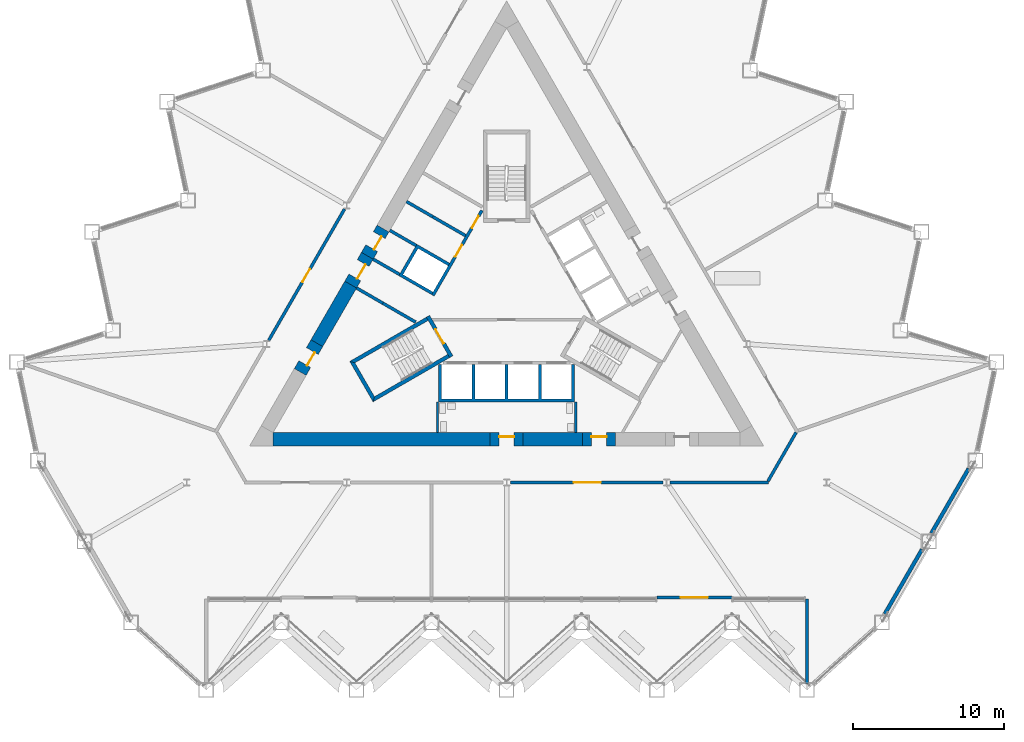
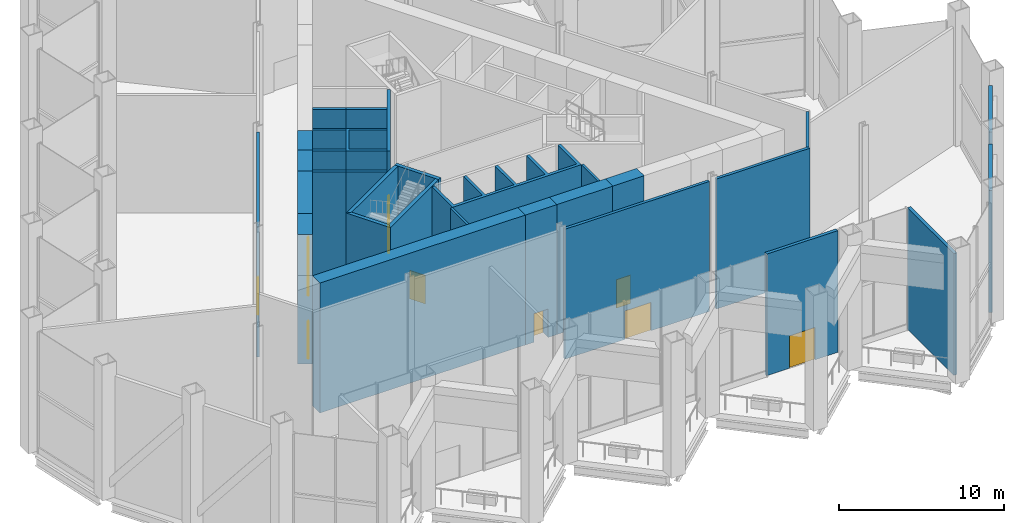
# One storey, part 8 of 17: 31 walls, 11 doors, 11 openings.
"""IFC4 building model written with IfcOpenShell, lengths in metres."""

from ifc_helpers import new_model, si_unit, direction, frame, frame_2d, origin, place, context, subcontext, project, spatial, polyline, rectangle, outline, extrude, material, layer, layer_set, type_object, element, fill, save


model = new_model("IFC4")

# Units and contexts
model_context = context("Model", 3, precision=1e-05, world=origin(), true_north=direction((0.0, 1.0)))
body_context = subcontext(model_context, "Body", "Model", "MODEL_VIEW")
ifc_project = project(units=[si_unit("LENGTHUNIT", "METRE"), si_unit("AREAUNIT", "SQUARE_METRE"), si_unit("VOLUMEUNIT", "CUBIC_METRE"), si_unit("PLANEANGLEUNIT", "RADIAN"), si_unit("MASSUNIT", "GRAM", prefix="KILO")], contexts=[model_context])

# Site, building, storey
site_placement = place(None, origin())
site = spatial("IfcSite", under=ifc_project, at=site_placement, CompositionType="ELEMENT")
building_placement = place(site_placement, origin())
building = spatial("IfcBuilding", under=site, at=building_placement, Name="Cormorant Prow Tower", CompositionType="ELEMENT")
storey_placement = place(building_placement, frame((0.0, 0.0, 84.60009765625)))
storey = spatial("IfcBuildingStorey", under=building, at=storey_placement, Name="L18", CompositionType="ELEMENT", Elevation=84.60009765625)

# Walls
ifc_material_1 = material(Name="Gypsum board partition")
ifc_layer_1 = layer(ifc_material_1, 0.14990234375)
ifc_layer_set_1 = layer_set([ifc_layer_1], Name="Gypsum board partition")
wall_type_1 = type_object("IfcWallType", Name="Core partition 150", PredefinedType="PARTITIONING", material=ifc_layer_set_1)
for number, where, z_axis, x_axis, name in (
    (1, (4.574951171875, -6.906005859375, 0.0), (0.0, 0.0, 1.0), (0.0, -1.0, 0.0), "Service room partition"),
    (2, (-4.574951171875, -6.906005859375, 0.0), (0.0, 0.0, 1.0), (0.0, -1.0, 0.0), "Service room partition"),
):
    element("IfcWall", number, at=place(storey_placement, frame(where, z_axis=z_axis, x_axis=x_axis)), inside=storey, type_object=wall_type_1, Name=name, PredefinedType="PARTITIONING", context=body_context, shape_type="SweptSolid", body=[
        extrude(rectangle(XDim=2.009033203125, YDim=0.14990234375, at=frame_2d((1.00439453125, 0.0))), origin(), (0.0, 0.0, 1.0), 9.599853515625),
    ])
ifc_material_2 = material(Name="Concrete 8000 psi", Category="concrete")
ifc_layer_2 = layer(ifc_material_2, 0.89990234375)
ifc_layer_set_2 = layer_set([ifc_layer_2], Name="Concrete 8000 psi")
wall_type_2 = type_object("IfcWallType", Name="Core shear wall 900", PredefinedType="SHEAR", material=ifc_layer_set_2)
wall_1_placement = place(storey_placement, frame((-15.441162109375, -9.364990234375, 0.0), z_axis=(0.0, 0.0, 1.0), x_axis=(1.0, 0.0, 0.0)))
element("IfcWall", 3, at=wall_1_placement, inside=storey, type_object=wall_type_2, Name="Core wall", PredefinedType="SHEAR", context=body_context, shape_type="SweptSolid", body=[
    extrude(rectangle(XDim=14.341064453125, YDim=0.89990234375, at=frame_2d((7.17041015625, 0.0))), origin(), (0.0, 0.0, 1.0), 9.599853515625),
])
wall_2_placement = place(storey_placement, frame((1.10009765625, -9.364990234375, 0.0), z_axis=(0.0, 0.0, 1.0), x_axis=(1.0, 0.0, 0.0)))
element("IfcWall", 4, at=wall_2_placement, inside=storey, type_object=wall_type_2, Name="Core wall", PredefinedType="SHEAR", context=body_context, shape_type="SweptSolid", body=[
    extrude(rectangle(XDim=3.908935546875, YDim=0.89990234375, at=frame_2d((1.95458984375, 0.0))), origin(), (0.0, 0.0, 1.0), 9.599853515625),
])
wall_3_placement = place(storey_placement, frame((-10.310302734375, 0.8720703125, 0.0), z_axis=(0.0, 0.0, 1.0), x_axis=(-0.499991893987, -0.866030083742, 0.0)))
element("IfcWall", 5, at=wall_3_placement, inside=storey, type_object=wall_type_2, Name="Core wall", PredefinedType="SHEAR", context=body_context, shape_type="SweptSolid", body=[
    extrude(rectangle(XDim=4.470703125, YDim=0.89990234375, at=frame_2d((2.2353515625, 0.0))), origin(), (0.0, 0.0, 1.0), 9.599853515625),
])

# Wall, opening, door
wall_4_placement = place(storey_placement, frame((-1.10009765625, -9.364990234375, 0.0), z_axis=(0.0, 0.0, 1.0), x_axis=(1.0, 0.0, 0.0)))
wall_4 = element("IfcWall", 6, at=wall_4_placement, inside=storey, type_object=wall_type_2, Name="Core wall door panel", PredefinedType="SHEAR", context=body_context, shape_type="SweptSolid", body=[
    extrude(rectangle(XDim=2.2001953125, YDim=0.89990234375, at=frame_2d((1.10009765625, 0.0))), origin(), (0.0, 0.0, 1.0), 9.599853515625),
])
opening_1_placement = place(wall_4_placement, frame((0.60009765625, 0.0, 0.0)))
opening_1 = element("IfcOpeningElement", 7, at=opening_1_placement, cuts=wall_4, Name="Opening L18-C15", PredefinedType="OPENING", context=body_context, shape_type="SweptSolid", body=[
    extrude(rectangle(XDim=1.0, YDim=2.10009765625, at=frame_2d((0.5, 1.050048828125))), frame((0.0, 0.4599609375, 0.0), z_axis=(0.0, -1.0, 0.0), x_axis=(1.0, 0.0, 0.0)), (0.0, 0.0, 1.0), 0.919921875),
])
ifc_material_3 = material(Name="Painted steel", Category="steel")
door_type_1 = type_object("IfcDoorType", Name="Service door 1000x2100", OperationType="NOTDEFINED", PredefinedType="DOOR", material=ifc_material_3)
door_1_placement = place(opening_1_placement, origin())
door_1 = element("IfcDoor", 8, at=door_1_placement, inside=storey, type_object=door_type_1, Name="Core door, Toilets (women) L18", OperationType="SINGLE_SWING_LEFT", OverallHeight=2.10009765625, OverallWidth=1.0, PredefinedType="DOOR", context=body_context, shape_type="SweptSolid", body=[
    extrude(rectangle(XDim=1.0, YDim=2.10009765625, at=frame_2d((0.5, 1.050048828125))), frame((0.0, 0.205078125, 0.0), z_axis=(0.0, -1.0, 0.0), x_axis=(1.0, 0.0, 0.0)), (0.0, 0.0, 1.0), 0.050048828125),
])
fill(opening_1, door_1)

wall_5_placement = place(storey_placement, frame((-12.545654296875, -2.999755859375, 0.0), z_axis=(0.0, 0.0, 1.0), x_axis=(-0.499994660107, -0.866028486751, 0.0)))
wall_5 = element("IfcWall", 9, at=wall_5_placement, inside=storey, type_object=wall_type_2, Name="Core wall door panel", PredefinedType="SHEAR", context=body_context, shape_type="SweptSolid", body=[
    extrude(rectangle(XDim=2.19970703125, YDim=0.89990234375, at=frame_2d((1.099853515625, 0.0))), origin(), (0.0, 0.0, 1.0), 9.599853515625),
])
opening_2_placement = place(wall_5_placement, frame((0.60009765625, 0.0, 0.0)))
opening_2 = element("IfcOpeningElement", 10, at=opening_2_placement, cuts=wall_5, Name="Opening L18-C16", PredefinedType="OPENING", context=body_context, shape_type="SweptSolid", body=[
    extrude(rectangle(XDim=1.0, YDim=2.10009765625, at=frame_2d((0.5, 1.050048828125))), frame((0.0, 0.4599609375, 0.0), z_axis=(0.0, -1.0, 0.0), x_axis=(1.0, 0.0, 0.0)), (0.0, 0.0, 1.0), 0.919921875),
])
door_2_placement = place(opening_2_placement, origin())
door_2 = element("IfcDoor", 11, at=door_2_placement, inside=storey, type_object=door_type_1, Name="Core door, Telecom room", OperationType="SINGLE_SWING_LEFT", OverallHeight=2.10009765625, OverallWidth=1.0, PredefinedType="DOOR", context=body_context, shape_type="SweptSolid", body=[
    extrude(rectangle(XDim=1.0, YDim=2.10009765625, at=frame_2d((0.5, 1.050048828125))), frame((0.0, 0.205078125, 0.0), z_axis=(0.0, -1.0, 0.0), x_axis=(1.0, 0.0, 0.0)), (0.0, 0.0, 1.0), 0.050048828125),
])
fill(opening_2, door_2)

wall_6_placement = place(storey_placement, frame((-8.17041015625, 4.57861328125, 0.0), z_axis=(0.0, 0.0, 1.0), x_axis=(-0.499888406853, -0.866089822532, 0.0)))
wall_6 = element("IfcWall", 12, at=wall_6_placement, inside=storey, type_object=wall_type_2, Name="Core wall door panel", PredefinedType="SHEAR", context=body_context, shape_type="SweptSolid", body=[
    extrude(rectangle(XDim=2.080078125, YDim=0.89990234375, at=frame_2d((1.0400390625, 0.0))), origin(), (0.0, 0.0, 1.0), 9.599853515625),
])
opening_3_placement = place(wall_6_placement, frame((0.5, 0.0, 0.0)))
opening_3 = element("IfcOpeningElement", 13, at=opening_3_placement, cuts=wall_6, Name="Opening L18-C19", PredefinedType="OPENING", context=body_context, shape_type="SweptSolid", body=[
    extrude(rectangle(XDim=1.0, YDim=2.10009765625, at=frame_2d((0.5, 1.050048828125))), frame((0.0, 0.4599609375, 0.0), z_axis=(0.0, -1.0, 0.0), x_axis=(1.0, 0.0, 0.0)), (0.0, 0.0, 1.0), 0.919921875),
])
door_3_placement = place(opening_3_placement, origin())
door_3 = element("IfcDoor", 14, at=door_3_placement, inside=storey, type_object=door_type_1, Name="Core door, Electrical room", OperationType="SINGLE_SWING_RIGHT", OverallHeight=2.10009765625, OverallWidth=1.0, PredefinedType="DOOR", context=body_context, shape_type="SweptSolid", body=[
    extrude(rectangle(XDim=1.0, YDim=2.10009765625, at=frame_2d((0.5, 1.050048828125))), frame((0.0, 0.205078125, 0.0), z_axis=(0.0, -1.0, 0.0), x_axis=(1.0, 0.0, 0.0)), (0.0, 0.0, 1.0), 0.050048828125),
])
fill(opening_3, door_3)

wall_7_placement = place(storey_placement, frame((5.009033203125, -9.364990234375, 0.0), z_axis=(0.0, 0.0, 1.0), x_axis=(1.0, 0.0, 0.0)))
wall_7 = element("IfcWall", 15, at=wall_7_placement, inside=storey, type_object=wall_type_2, Name="Core wall door panel", PredefinedType="SHEAR", context=body_context, shape_type="SweptSolid", body=[
    extrude(rectangle(XDim=2.199951171875, YDim=0.89990234375, at=frame_2d((1.10009765625, 0.0))), origin(), (0.0, 0.0, 1.0), 9.599853515625),
])
opening_4_placement = place(wall_7_placement, frame((0.60009765625, 0.0, 0.0)))
opening_4 = element("IfcOpeningElement", 16, at=opening_4_placement, cuts=wall_7, Name="Opening L18-C22", PredefinedType="OPENING", context=body_context, shape_type="SweptSolid", body=[
    extrude(rectangle(XDim=1.0, YDim=2.10009765625, at=frame_2d((0.5, 1.050048828125))), frame((0.0, 0.4599609375, 0.0), z_axis=(0.0, -1.0, 0.0), x_axis=(1.0, 0.0, 0.0)), (0.0, 0.0, 1.0), 0.919921875),
])
door_4_placement = place(opening_4_placement, origin())
door_4 = element("IfcDoor", 17, at=door_4_placement, inside=storey, type_object=door_type_1, Name="Core door, Mechanical riser room", OperationType="SINGLE_SWING_LEFT", OverallHeight=2.10009765625, OverallWidth=1.0, PredefinedType="DOOR", context=body_context, shape_type="SweptSolid", body=[
    extrude(rectangle(XDim=1.0, YDim=2.10009765625, at=frame_2d((0.5, 1.050048828125))), frame((0.0, 0.205078125, 0.0), z_axis=(0.0, -1.0, 0.0), x_axis=(1.0, 0.0, 0.0)), (0.0, 0.0, 1.0), 0.050048828125),
])
fill(opening_4, door_4)

wall_8_placement = place(storey_placement, frame((-9.210205078125, 2.777099609375, 0.0), z_axis=(0.0, 0.0, 1.0), x_axis=(-0.500077893725, -0.86598042715, 0.0)))
wall_8 = element("IfcWall", 18, at=wall_8_placement, inside=storey, type_object=wall_type_2, Name="Core wall door panel", PredefinedType="SHEAR", context=body_context, shape_type="SweptSolid", body=[
    extrude(rectangle(XDim=2.199951171875, YDim=0.89990234375, at=frame_2d((1.10009765625, 0.0))), origin(), (0.0, 0.0, 1.0), 9.599853515625),
])
opening_5_placement = place(wall_8_placement, frame((0.550048828125, 0.0, 0.0)))
opening_5 = element("IfcOpeningElement", 19, at=opening_5_placement, cuts=wall_8, Name="Opening L18-C23", PredefinedType="OPENING", context=body_context, shape_type="SweptSolid", body=[
    extrude(rectangle(XDim=1.10009765625, YDim=2.10009765625, at=frame_2d((0.550048828125, 1.050048828125))), frame((0.0, 0.4599609375, 0.0), z_axis=(0.0, -1.0, 0.0), x_axis=(1.0, 0.0, 0.0)), (0.0, 0.0, 1.0), 0.919921875),
])
ifc_material_4 = material(Name="Painted steel", Category="steel")
door_type_2 = type_object("IfcDoorType", Name="Core door 1100x2100", OperationType="NOTDEFINED", PredefinedType="DOOR", material=ifc_material_4)
door_5_placement = place(opening_5_placement, origin())
door_5 = element("IfcDoor", 20, at=door_5_placement, inside=storey, type_object=door_type_2, Name="Core door, lift lobby", OperationType="SINGLE_SWING_LEFT", OverallHeight=2.10009765625, OverallWidth=1.10009765625, PredefinedType="DOOR", context=body_context, shape_type="SweptSolid", body=[
    extrude(rectangle(XDim=1.10009765625, YDim=2.10009765625, at=frame_2d((0.550048828125, 1.050048828125))), frame((0.0, 0.205078125, 0.0), z_axis=(0.0, -1.0, 0.0), x_axis=(1.0, 0.0, 0.0)), (0.0, 0.0, 1.0), 0.050048828125),
])
fill(opening_5, door_5)

ifc_material_5 = material(Name="Gypsum board corridor wall")
ifc_layer_3 = layer(ifc_material_5, 0.199951171875)
ifc_layer_set_3 = layer_set([ifc_layer_3], Name="Gypsum board corridor wall")
wall_type_3 = type_object("IfcWallType", Name="Corridor wall 200", PredefinedType="PARTITIONING", material=ifc_layer_set_3)
wall_9_placement = place(storey_placement, frame((0.2421875, -12.215087890625, 0.0), z_axis=(0.0, 0.0, 1.0), x_axis=(1.0, 0.0, 0.0)))
wall_9 = element("IfcWall", 21, at=wall_9_placement, inside=storey, type_object=wall_type_3, Name="Corridor wall", PredefinedType="PARTITIONING", context=body_context, shape_type="SweptSolid", body=[
    extrude(rectangle(XDim=10.093994140625, YDim=0.199951171875, at=frame_2d((5.046875, 0.0))), origin(), (0.0, 0.0, 1.0), 9.599853515625),
])
opening_6_placement = place(wall_9_placement, frame((4.197509765625, 0.0, 0.0)))
opening_6 = element("IfcOpeningElement", 22, at=opening_6_placement, cuts=wall_9, Name="Opening L18-F01", PredefinedType="OPENING", context=body_context, shape_type="SweptSolid", body=[
    extrude(rectangle(XDim=1.800048828125, YDim=2.10009765625, at=frame_2d((0.89990234375, 1.050048828125))), frame((0.0, 0.10986328125, 0.0), z_axis=(0.0, -1.0, 0.0), x_axis=(1.0, 0.0, 0.0)), (0.0, 0.0, 1.0), 0.219970703125),
])
ifc_material_6 = material(Name="Timber door leaf", Category="wood")
door_type_3 = type_object("IfcDoorType", Name="Double door 1800x2100", OperationType="DOUBLE_DOOR_SINGLE_SWING", PredefinedType="DOOR", material=ifc_material_6)
door_6_placement = place(opening_6_placement, origin())
door_6 = element("IfcDoor", 23, at=door_6_placement, inside=storey, type_object=door_type_3, Name="Business centre door", OperationType="DOUBLE_DOOR_SINGLE_SWING", OverallHeight=2.10009765625, OverallWidth=1.800048828125, PredefinedType="DOOR", context=body_context, shape_type="SweptSolid", body=[
    extrude(rectangle(XDim=1.800048828125, YDim=2.10009765625, at=frame_2d((0.89990234375, 1.050048828125))), frame((0.0, 0.02490234375, 0.0), z_axis=(0.0, -1.0, 0.0), x_axis=(1.0, 0.0, 0.0)), (0.0, 0.0, 1.0), 0.050048828125),
])
fill(opening_6, door_6)

wall_10_placement = place(storey_placement, frame((-15.727783203125, -2.811279296875, 0.0), z_axis=(0.0, 0.0, 1.0), x_axis=(0.49999175339, 0.866030164915, 0.0)))
wall_10 = element("IfcWall", 24, at=wall_10_placement, inside=storey, type_object=wall_type_3, Name="Corridor wall", PredefinedType="PARTITIONING", context=body_context, shape_type="SweptSolid", body=[
    extrude(rectangle(XDim=10.018798828125, YDim=0.199951171875, at=frame_2d((5.00927734375, 0.0))), origin(), (0.0, 0.0, 1.0), 9.599853515625),
])
opening_7_placement = place(wall_10_placement, frame((4.459228515625, 0.0, 0.0)))
opening_7 = element("IfcOpeningElement", 25, at=opening_7_placement, cuts=wall_10, Name="Opening L18-F06", PredefinedType="OPENING", context=body_context, shape_type="SweptSolid", body=[
    extrude(rectangle(XDim=1.0, YDim=2.10009765625, at=frame_2d((0.5, 1.050048828125))), frame((0.0, 0.10986328125, 0.0), z_axis=(0.0, -1.0, 0.0), x_axis=(1.0, 0.0, 0.0)), (0.0, 0.0, 1.0), 0.219970703125),
])
ifc_material_7 = material(Name="Timber door leaf", Category="wood")
door_type_4 = type_object("IfcDoorType", Name="Flat or room entrance door 1000x2100", OperationType="NOTDEFINED", PredefinedType="DOOR", material=ifc_material_7)
door_7_placement = place(opening_7_placement, origin())
door_7 = element("IfcDoor", 26, at=door_7_placement, inside=storey, type_object=door_type_4, Name="Refuge area door", OperationType="SINGLE_SWING_RIGHT", OverallHeight=2.10009765625, OverallWidth=1.0, PredefinedType="DOOR", context=body_context, shape_type="SweptSolid", body=[
    extrude(rectangle(XDim=1.0, YDim=2.10009765625, at=frame_2d((0.5, 1.050048828125))), frame((0.0, 0.02490234375, 0.0), z_axis=(0.0, -1.0, 0.0), x_axis=(1.0, 0.0, 0.0)), (0.0, 0.0, 1.0), 0.050048828125),
])
fill(opening_7, door_7)

# Walls
wall_11_placement = place(storey_placement, frame((10.82080078125, -12.215087890625, 0.0), z_axis=(0.0, 0.0, 1.0), x_axis=(1.0, 0.0, 0.0)))
element("IfcWall", 27, at=wall_11_placement, inside=storey, type_object=wall_type_3, Name="Corridor wall", PredefinedType="PARTITIONING", context=body_context, shape_type="SweptSolid", body=[
    extrude(rectangle(XDim=6.510009765625, YDim=0.199951171875, at=frame_2d((3.2548828125, 0.0))), origin(), (0.0, 0.0, 1.0), 9.599853515625),
])
wall_12_placement = place(storey_placement, frame((17.281005859375, -12.12841796875, 0.0), z_axis=(0.0, 0.0, 1.0), x_axis=(0.499958791762, 0.866049194065, 0.0)))
element("IfcWall", 28, at=wall_12_placement, inside=storey, type_object=wall_type_3, Name="Corridor wall", PredefinedType="PARTITIONING", context=body_context, shape_type="SweptSolid", body=[
    extrude(rectangle(XDim=3.725830078125, YDim=0.199951171875, at=frame_2d((1.86279296875, 0.0))), origin(), (0.0, 0.0, 1.0), 9.599853515625),
])

# Wall, openings, doors
ifc_material_8 = material(Name="Concrete 5000 psi", Category="concrete")
ifc_layer_4 = layer(ifc_material_8, 0.199951171875)
ifc_layer_set_4 = layer_set([ifc_layer_4], Name="Concrete 5000 psi")
wall_type_4 = type_object("IfcWallType", Name="Lift lobby wall 200", PredefinedType="SOLIDWALL", material=ifc_layer_set_4)
wall_13_placement = place(storey_placement, frame((-1.630615234375, 5.775634765625, 0.0), z_axis=(0.0, 0.0, 1.0), x_axis=(-0.499992876559, -0.866029516466, 0.0)))
wall_13 = element("IfcWall", 29, at=wall_13_placement, inside=storey, type_object=wall_type_4, Name="Lift lobby wall, WNW block", PredefinedType="SOLIDWALL", context=body_context, shape_type="SweptSolid", body=[
    extrude(rectangle(XDim=6.486328125, YDim=0.199951171875, at=frame_2d((3.2431640625, 0.0))), origin(), (0.0, 0.0, 1.0), 9.599853515625),
])
opening_8_placement = place(wall_13_placement, frame((0.4365234375, 0.0, 0.0)))
opening_8 = element("IfcOpeningElement", 30, at=opening_8_placement, cuts=wall_13, Name="Opening L18-C09", PredefinedType="OPENING", context=body_context, shape_type="SweptSolid", body=[
    extrude(rectangle(XDim=0.89990234375, YDim=2.10009765625, at=frame_2d((0.449951171875, 1.050048828125))), frame((0.0, 0.10986328125, 0.0), z_axis=(0.0, -1.0, 0.0), x_axis=(1.0, 0.0, 0.0)), (0.0, 0.0, 1.0), 0.219970703125),
])
opening_9_placement = place(wall_13_placement, frame((2.63671875, 0.0, 0.0)))
opening_9 = element("IfcOpeningElement", 31, at=opening_9_placement, cuts=wall_13, Name="Opening L18-C10", PredefinedType="OPENING", context=body_context, shape_type="SweptSolid", body=[
    extrude(rectangle(XDim=0.89990234375, YDim=2.10009765625, at=frame_2d((0.449951171875, 1.050048828125))), frame((0.0, 0.10986328125, 0.0), z_axis=(0.0, -1.0, 0.0), x_axis=(1.0, 0.0, 0.0)), (0.0, 0.0, 1.0), 0.219970703125),
])
ifc_material_9 = material(Name="Painted steel", Category="steel")
door_type_5 = type_object("IfcDoorType", Name="Service door 900x2100", OperationType="NOTDEFINED", PredefinedType="DOOR", material=ifc_material_9)
door_8_placement = place(opening_8_placement, origin())
door_8 = element("IfcDoor", 32, at=door_8_placement, inside=storey, type_object=door_type_5, Name="Service door, Electrical room", OperationType="SINGLE_SWING_LEFT", OverallHeight=2.10009765625, OverallWidth=0.89990234375, PredefinedType="DOOR", context=body_context, shape_type="SweptSolid", body=[
    extrude(rectangle(XDim=0.89990234375, YDim=2.10009765625, at=frame_2d((0.449951171875, 1.050048828125))), frame((0.0, 0.02490234375, 0.0), z_axis=(0.0, -1.0, 0.0), x_axis=(1.0, 0.0, 0.0)), (0.0, 0.0, 1.0), 0.050048828125),
])
fill(opening_8, door_8)
door_9_placement = place(opening_9_placement, origin())
door_9 = element("IfcDoor", 33, at=door_9_placement, inside=storey, type_object=door_type_5, Name="Service door, Linen store", OperationType="SINGLE_SWING_RIGHT", OverallHeight=2.10009765625, OverallWidth=0.89990234375, PredefinedType="DOOR", context=body_context, shape_type="SweptSolid", body=[
    extrude(rectangle(XDim=0.89990234375, YDim=2.10009765625, at=frame_2d((0.449951171875, 1.050048828125))), frame((0.0, 0.02490234375, 0.0), z_axis=(0.0, -1.0, 0.0), x_axis=(1.0, 0.0, 0.0)), (0.0, 0.0, 1.0), 0.050048828125),
])
fill(opening_9, door_9)

# Walls
ifc_material_10 = material(Name="Concrete 8000 psi", Category="concrete")
ifc_layer_5 = layer(ifc_material_10, 0.199951171875)
ifc_layer_set_5 = layer_set([ifc_layer_5], Name="Concrete 8000 psi")
wall_type_5 = type_object("IfcWallType", Name="Lift shaft wall 200", PredefinedType="SHEAR", material=ifc_layer_set_5)
wall_14_placement = place(storey_placement, origin())
element("IfcWall", 34, at=wall_14_placement, inside=storey, type_object=wall_type_5, Name="Lift shaft walls, S block", PredefinedType="SHEAR", context=body_context, shape_type="SweptSolid", body=[
    extrude(outline(polyline([(4.5, -4.39990234375), (4.5, -6.906005859375), (-4.5, -6.906005859375), (-4.5, -4.39990234375), (-4.300048828125, -4.39990234375), (-4.300048828125, -6.699951171875), (-2.300048828125, -6.699951171875), (-2.300048828125, -4.39990234375), (-2.10009765625, -4.39990234375), (-2.10009765625, -6.699951171875), (-0.10009765625, -6.699951171875), (-0.10009765625, -4.39990234375), (0.10009765625, -4.39990234375), (0.10009765625, -6.699951171875), (2.10009765625, -6.699951171875), (2.10009765625, -4.39990234375), (2.300048828125, -4.39990234375), (2.300048828125, -6.699951171875), (4.300048828125, -6.699951171875), (4.300048828125, -4.39990234375), (4.5, -4.39990234375)])), origin(), (0.0, 0.0, 1.0), 9.599853515625),
])
wall_15_placement = place(storey_placement, origin())
element("IfcWall", 35, at=wall_15_placement, inside=storey, type_object=wall_type_5, Name="Lift shaft walls, WNW block", PredefinedType="SHEAR", context=body_context, shape_type="SweptSolid", body=[
    extrude(outline(polyline([(-6.060546875, -1.697021484375), (-8.230712890625, -0.444091796875), (-8.130859375, -0.27099609375), (-5.96044921875, -1.52392578125), (-6.060546875, -1.697021484375)])), origin(), (0.0, 0.0, 1.0), 9.599853515625),
])
wall_16_placement = place(storey_placement, origin())
element("IfcWall", 36, at=wall_16_placement, inside=storey, type_object=wall_type_5, Name="Lift shaft walls, WNW block", PredefinedType="SHEAR", context=body_context, shape_type="SweptSolid", body=[
    extrude(outline(polyline([(-4.96044921875, 0.2080078125), (-7.130859375, 1.461181640625), (-5.930908203125, 3.53955078125), (-3.760498046875, 2.28662109375), (-3.860595703125, 2.11328125), (-5.852294921875, 3.263427734375), (-6.852294921875, 1.53125), (-4.860595703125, 0.38134765625), (-4.96044921875, 0.2080078125)])), origin(), (0.0, 0.0, 1.0), 9.599853515625),
])
wall_17_placement = place(storey_placement, origin())
element("IfcWall", 37, at=wall_17_placement, inside=storey, type_object=wall_type_5, Name="Lift shaft walls, WNW block", PredefinedType="SHEAR", context=body_context, shape_type="SweptSolid", body=[
    extrude(outline(polyline([(-2.760498046875, 4.018798828125), (-4.930908203125, 5.271728515625), (-4.830810546875, 5.44482421875), (-2.660400390625, 4.19189453125), (-2.760498046875, 4.018798828125)])), origin(), (0.0, 0.0, 1.0), 9.599853515625),
])
wall_18_placement = place(storey_placement, frame((-4.880859375, 5.3583984375, 0.0), z_axis=(0.0, 0.0, 1.0), x_axis=(-0.866035824272, 0.499981950752, 0.0)))
element("IfcWall", 38, at=wall_18_placement, inside=storey, type_object=wall_type_5, Name="Store side wall", PredefinedType="SHEAR", context=body_context, shape_type="SweptSolid", body=[
    extrude(rectangle(XDim=2.0087890625, YDim=0.199951171875, at=frame_2d((1.00439453125, 0.0))), origin(), (0.0, 0.0, 1.0), 9.599853515625),
])
wall_19_placement = place(storey_placement, frame((-5.980712890625, 3.452880859375, 0.0), z_axis=(0.0, 0.0, 1.0), x_axis=(-0.866013584312, 0.500020471368, 0.0)))
element("IfcWall", 39, at=wall_19_placement, inside=storey, type_object=wall_type_5, Name="Store side wall", PredefinedType="SHEAR", context=body_context, shape_type="SweptSolid", body=[
    extrude(rectangle(XDim=2.00927734375, YDim=0.199951171875, at=frame_2d((1.004638671875, 0.0))), origin(), (0.0, 0.0, 1.0), 9.599853515625),
])
wall_20_placement = place(storey_placement, frame((-7.080810546875, 1.547607421875, 0.0), z_axis=(0.0, 0.0, 1.0), x_axis=(-0.865983199114, 0.50007309351, 0.0)))
element("IfcWall", 40, at=wall_20_placement, inside=storey, type_object=wall_type_5, Name="Lobby passage wall", PredefinedType="SHEAR", context=body_context, shape_type="SweptSolid", body=[
    extrude(rectangle(XDim=2.009033203125, YDim=0.199951171875, at=frame_2d((1.00439453125, 0.0))), origin(), (0.0, 0.0, 1.0), 9.599853515625),
])
wall_21_placement = place(storey_placement, frame((-8.180908203125, -0.357421875, 0.0), z_axis=(0.0, 0.0, 1.0), x_axis=(-0.866035824272, 0.499981950752, 0.0)))
element("IfcWall", 41, at=wall_21_placement, inside=storey, type_object=wall_type_5, Name="Lobby passage wall", PredefinedType="SHEAR", context=body_context, shape_type="SweptSolid", body=[
    extrude(rectangle(XDim=2.0087890625, YDim=0.199951171875, at=frame_2d((1.00439453125, 0.0))), origin(), (0.0, 0.0, 1.0), 9.599853515625),
])
ifc_material_11 = material(Name="Concrete 8000 psi", Category="concrete")
ifc_layer_6 = layer(ifc_material_11, 0.25)
ifc_layer_set_6 = layer_set([ifc_layer_6], Name="Concrete 8000 psi")
wall_type_6 = type_object("IfcWallType", Name="Stair wall 250", PredefinedType="SHEAR", material=ifc_layer_set_6)
wall_22_placement = place(storey_placement, origin())
element("IfcWall", 42, at=wall_22_placement, inside=storey, type_object=wall_type_6, Name="Stair ST1 enclosure wall (flank)", PredefinedType="SHEAR", context=body_context, shape_type="SweptSolid", body=[
    extrude(outline(polyline([(-5.30712890625, -1.28125), (-10.37353515625, -4.206298828125), (-10.031982421875, -4.2978515625), (-5.18212890625, -1.497802734375), (-5.30712890625, -1.28125)])), origin(), (0.0, 0.0, 1.0), 9.599853515625),
])
wall_23_placement = place(storey_placement, origin())
element("IfcWall", 43, at=wall_23_placement, inside=storey, type_object=wall_type_6, Name="Stair ST1 enclosure wall (end)", PredefinedType="SHEAR", context=body_context, shape_type="SweptSolid", body=[
    extrude(outline(polyline([(-10.37353515625, -4.206298828125), (-8.82958984375, -6.880615234375), (-8.738037109375, -6.5390625), (-10.031982421875, -4.2978515625), (-10.37353515625, -4.206298828125)])), origin(), (0.0, 0.0, 1.0), 9.599853515625),
])
wall_24_placement = place(storey_placement, origin())
element("IfcWall", 44, at=wall_24_placement, inside=storey, type_object=wall_type_6, Name="Stair ST1 enclosure wall (flank)", PredefinedType="SHEAR", context=body_context, shape_type="SweptSolid", body=[
    extrude(outline(polyline([(-8.738037109375, -6.5390625), (-8.82958984375, -6.880615234375), (-3.76318359375, -3.95556640625), (-3.88818359375, -3.739013671875), (-8.738037109375, -6.5390625)])), origin(), (0.0, 0.0, 1.0), 9.599853515625),
])

# Wall, opening, door
wall_25_placement = place(storey_placement, frame((-5.198974609375, -1.21875, 0.0), z_axis=(0.0, 0.0, 1.0), x_axis=(0.499982516597, -0.866035497597, 0.0)))
wall_25 = element("IfcWall", 45, at=wall_25_placement, inside=storey, type_object=wall_type_6, Name="Stair ST1 door wall", PredefinedType="SHEAR", context=body_context, shape_type="SweptSolid", body=[
    extrude(rectangle(XDim=3.087890625, YDim=0.25, at=frame_2d((1.5439453125, 0.0))), origin(), (0.0, 0.0, 1.0), 9.599853515625),
])
opening_10_placement = place(wall_25_placement, frame((0.993896484375, 0.0, 0.0)))
opening_10 = element("IfcOpeningElement", 46, at=opening_10_placement, cuts=wall_25, Name="Opening L18-C12", PredefinedType="OPENING", context=body_context, shape_type="SweptSolid", body=[
    extrude(rectangle(XDim=1.10009765625, YDim=2.10009765625, at=frame_2d((0.550048828125, 1.050048828125))), frame((0.0, 0.135009765625, 0.0), z_axis=(0.0, -1.0, 0.0), x_axis=(1.0, 0.0, 0.0)), (0.0, 0.0, 1.0), 0.27001953125),
])
ifc_material_12 = material(Name="Painted steel", Category="steel")
door_type_6 = type_object("IfcDoorType", Name="Stair door 1100x2100", OperationType="NOTDEFINED", PredefinedType="DOOR", material=ifc_material_12)
door_10_placement = place(opening_10_placement, origin())
door_10 = element("IfcDoor", 47, at=door_10_placement, inside=storey, type_object=door_type_6, Name="Stair ST1 door", OperationType="SINGLE_SWING_LEFT", OverallHeight=2.10009765625, OverallWidth=1.10009765625, PredefinedType="DOOR", context=body_context, shape_type="SweptSolid", body=[
    extrude(rectangle(XDim=1.10009765625, YDim=2.10009765625, at=frame_2d((0.550048828125, 1.050048828125))), frame((0.0, 0.02490234375, 0.0), z_axis=(0.0, -1.0, 0.0), x_axis=(1.0, 0.0, 0.0)), (0.0, 0.0, 1.0), 0.050048828125),
])
fill(opening_10, door_10)

# Walls
ifc_material_13 = material(Name="Terracotta", Category="masonry")
ifc_layer_7 = layer(ifc_material_13, 0.25)
ifc_layer_set_7 = layer_set([ifc_layer_7], Name="Terracotta")
wall_type_7 = type_object("IfcWallType", Name="Terracotta bay wall 250", PredefinedType="SOLIDWALL", material=ifc_layer_set_7)
for number, where, z_axis, x_axis, name in (
    (48, (25.003662109375, -20.909912109375, 0.0), (0.0, 0.0, 1.0), (0.499991179438, 0.866030496278, 0.0), "Terracotta bay wall ESE00"),
    (49, (28.08837890625, -15.56689453125, 0.0), (0.0, 0.0, 1.0), (0.499991179438, 0.866030496278, 0.0), "Terracotta bay wall ESE01"),
):
    element("IfcWall", number, at=place(storey_placement, frame(where, z_axis=z_axis, x_axis=x_axis)), inside=storey, type_object=wall_type_7, Name=name, PredefinedType="SOLIDWALL", context=body_context, shape_type="SweptSolid", body=[
        extrude(rectangle(XDim=4.92822265625, YDim=0.25, at=frame_2d((2.464111328125, 0.0))), origin(), (0.0, 0.0, 1.0), 8.98876953125),
    ])

# Wall, opening, door
ifc_material_14 = material(Name="Terracotta", Category="masonry")
ifc_layer_8 = layer(ifc_material_14, 0.219970703125)
ifc_layer_set_8 = layer_set([ifc_layer_8], Name="Terracotta")
wall_type_8 = type_object("IfcWallType", Name="Terracotta loggia wall 220", PredefinedType="SOLIDWALL", material=ifc_layer_set_8)
wall_26_placement = place(storey_placement, frame((9.93212890625, -19.8212890625, 0.0), z_axis=(0.0, 0.0, 1.0), x_axis=(1.0, 0.0, 0.0)))
wall_26 = element("IfcWall", 50, at=wall_26_placement, inside=storey, type_object=wall_type_8, Name="Terracotta loggia wall S07", PredefinedType="SOLIDWALL", context=body_context, shape_type="SweptSolid", body=[
    extrude(rectangle(XDim=4.966064453125, YDim=0.219970703125, at=frame_2d((2.48291015625, 0.0))), origin(), (0.0, 0.0, 1.0), 8.98876953125),
])
opening_11_placement = place(wall_26_placement, frame((1.5830078125, 0.0, 0.0)))
opening_11 = element("IfcOpeningElement", 51, at=opening_11_placement, cuts=wall_26, Name="Opening ED18.02", PredefinedType="OPENING", context=body_context, shape_type="SweptSolid", body=[
    extrude(rectangle(XDim=1.800048828125, YDim=2.39990234375, at=frame_2d((0.89990234375, 1.199951171875))), frame((0.0, 0.119873046875, 0.0), z_axis=(0.0, -1.0, 0.0), x_axis=(1.0, 0.0, 0.0)), (0.0, 0.0, 1.0), 0.239990234375),
])
ifc_material_15 = material(Name="Aluminium 6063-T6", Category="aluminium")
door_type_7 = type_object("IfcDoorType", Name="Terrace door 1800x2400", OperationType="DOUBLE_DOOR_SINGLE_SWING", PredefinedType="DOOR", material=ifc_material_15)
door_11_placement = place(opening_11_placement, origin())
door_11 = element("IfcDoor", 52, at=door_11_placement, inside=storey, type_object=door_type_7, Name="Terrace door S07 ED18.02", OperationType="DOUBLE_DOOR_SINGLE_SWING", OverallHeight=2.39990234375, OverallWidth=1.800048828125, PredefinedType="DOOR", context=body_context, shape_type="SweptSolid", body=[
    extrude(rectangle(XDim=1.800048828125, YDim=2.39990234375, at=frame_2d((0.89990234375, 1.199951171875))), frame((0.0, 0.02490234375, 0.0), z_axis=(0.0, -1.0, 0.0), x_axis=(1.0, 0.0, 0.0)), (0.0, 0.0, 1.0), 0.050048828125),
])
fill(opening_11, door_11)

# Wall
wall_27_placement = place(storey_placement, frame((19.8642578125, -25.55126953125, 0.0), z_axis=(0.0, 0.0, 1.0), x_axis=(0.0, 1.0, 0.0)))
element("IfcWall", 53, at=wall_27_placement, inside=storey, type_object=wall_type_8, Name="Terracotta loggia return S east", PredefinedType="SOLIDWALL", context=body_context, shape_type="SweptSolid", body=[
    extrude(rectangle(XDim=5.619873046875, YDim=0.219970703125, at=frame_2d((2.81005859375, 0.0))), origin(), (0.0, 0.0, 1.0), 8.98876953125),
])

save(model, "model.ifc")
